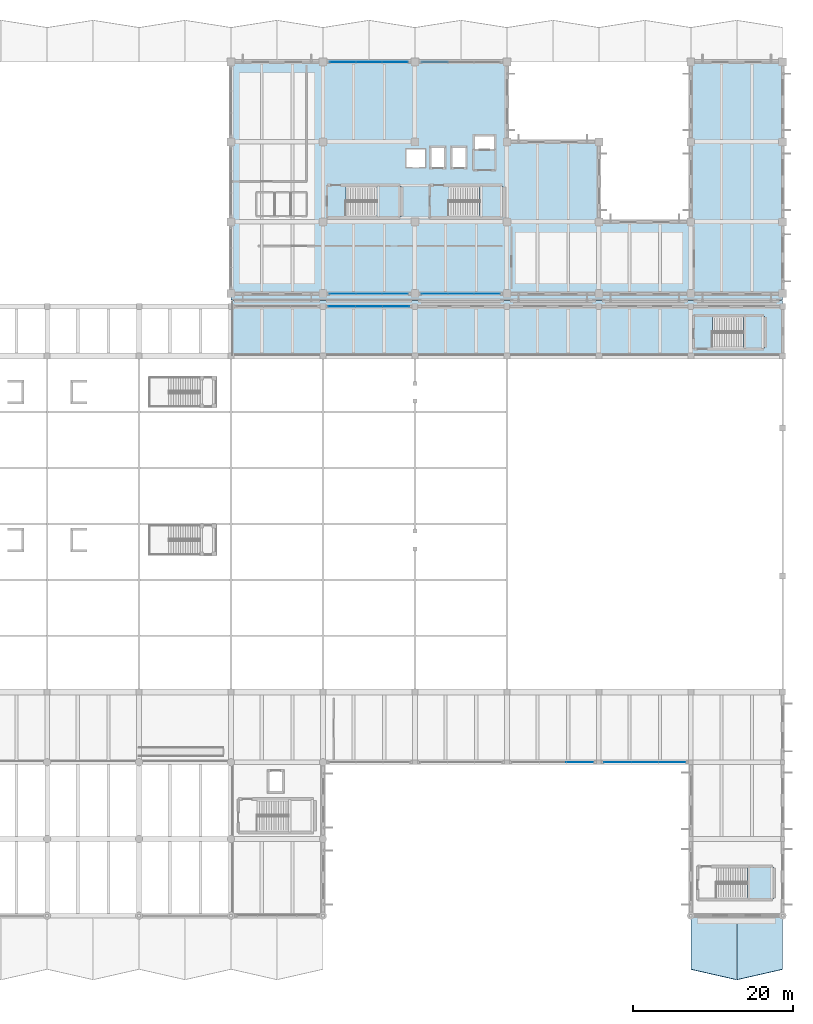
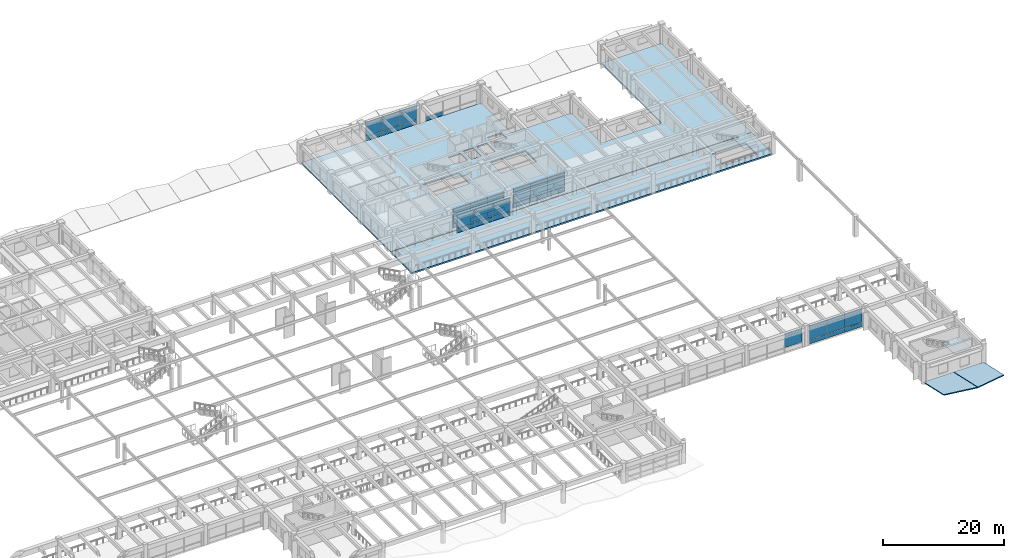
# One storey, part 68 of 98: 48 plates, 8 slabs, 11 elements without a shape of their own.
"""IFC4 building model written with IfcOpenShell, lengths in metres."""

from ifc_helpers import new_model, si_unit, direction, frame, origin, origin_2d, place, context, subcontext, project, spatial, polyline, rectangle, outline, extrude, material, layer, layer_set, type_object, element, aggregate, save


model = new_model("IFC4")

# Units and contexts
model_context = context("Model", 3, precision=1e-05, world=origin(), true_north=direction((0.0, 1.0)))
body_context = subcontext(model_context, "Body", "Model", "MODEL_VIEW")
ifc_project = project(units=[si_unit("LENGTHUNIT", "METRE"), si_unit("AREAUNIT", "SQUARE_METRE"), si_unit("VOLUMEUNIT", "CUBIC_METRE"), si_unit("PLANEANGLEUNIT", "RADIAN"), si_unit("MASSUNIT", "GRAM", prefix="KILO")], contexts=[model_context])

# Site, building, storey
site_placement = place(None, origin())
site = spatial("IfcSite", under=ifc_project, at=site_placement, CompositionType="ELEMENT")
building_placement = place(site_placement, origin())
building = spatial("IfcBuilding", under=site, at=building_placement, Name="Ologun Quay Terminus", CompositionType="ELEMENT")
storey_placement = place(building_placement, frame((0.0, 0.0, 4.199951171875)))
storey = spatial("IfcBuildingStorey", under=building, at=storey_placement, Name="L01", CompositionType="ELEMENT", Elevation=4.199951171875)

# Curtain wall, plates
ifc_material_1 = material(Name="Aluminium 6063-T6", Category="aluminium")
curtain_wall_type_1 = type_object("IfcCurtainWallType", Name="Waterfront Pavilion Harbour Curtain Wall L01 10500x3850", PredefinedType="USERDEFINED", material=ifc_material_1)
curtain_wall_1_placement = place(storey_placement, origin())
curtain_wall_1 = element("IfcCurtainWall", 1, at=curtain_wall_1_placement, inside=storey, type_object=curtain_wall_type_1, Name="CW-23 Curtain Wall CW-L01-126", ObjectType="UNITISED CURTAIN WALL", PredefinedType="USERDEFINED")
ifc_material_2 = material(Name="Glass", Category="glass")
ifc_layer_1 = layer(ifc_material_2, 0.031982421875)
ifc_layer_set_1 = layer_set([ifc_layer_1], Name="Glass")
plate_type_1 = type_object("IfcPlateType", Name="Acoustic Low-E Laminated Glazed Panel 32", PredefinedType="CURTAIN_PANEL", material=ifc_layer_set_1)
plate_1_placement = place(storey_placement, frame((128.99658203125, 114.800048828125, 0.929931640625), z_axis=(0.0, 0.0, 1.0), x_axis=(1.0, 0.0, 0.0)))
plate_1 = element("IfcPlate", 2, at=plate_1_placement, type_object=plate_type_1, Name="CW-L01-126 Panel B1-2", PredefinedType="CURTAIN_PANEL", context=body_context, shape_type="SweptSolid", body=[
    extrude(rectangle(XDim=3.25341796875, YDim=0.031982421875, at=origin_2d()), origin(), (0.0, 0.0, 1.0), 2.27001953125),
])
plate_2_placement = place(storey_placement, frame((128.99658203125, 114.800048828125, 3.26025390625), z_axis=(0.0, 0.0, 1.0), x_axis=(1.0, 0.0, 0.0)))
plate_2 = element("IfcPlate", 3, at=plate_2_placement, type_object=plate_type_1, Name="CW-L01-126 Panel B1-3", PredefinedType="CURTAIN_PANEL", context=body_context, shape_type="SweptSolid", body=[
    extrude(rectangle(XDim=3.25341796875, YDim=0.031982421875, at=origin_2d()), origin(), (0.0, 0.0, 1.0), 0.639892578125),
])
plate_3_placement = place(storey_placement, frame((132.25, 114.800048828125, 0.929931640625), z_axis=(0.0, 0.0, 1.0), x_axis=(1.0, 0.0, 0.0)))
plate_3 = element("IfcPlate", 4, at=plate_3_placement, type_object=plate_type_1, Name="CW-L01-126 Panel B2-2", PredefinedType="CURTAIN_PANEL", context=body_context, shape_type="SweptSolid", body=[
    extrude(rectangle(XDim=3.25341796875, YDim=0.031982421875, at=origin_2d()), origin(), (0.0, 0.0, 1.0), 2.27001953125),
])
plate_4_placement = place(storey_placement, frame((132.25, 114.800048828125, 3.26025390625), z_axis=(0.0, 0.0, 1.0), x_axis=(1.0, 0.0, 0.0)))
plate_4 = element("IfcPlate", 5, at=plate_4_placement, type_object=plate_type_1, Name="CW-L01-126 Panel B2-3", PredefinedType="CURTAIN_PANEL", context=body_context, shape_type="SweptSolid", body=[
    extrude(rectangle(XDim=3.25341796875, YDim=0.031982421875, at=origin_2d()), origin(), (0.0, 0.0, 1.0), 0.639892578125),
])
plate_5_placement = place(storey_placement, frame((135.50341796875, 114.800048828125, 0.929931640625), z_axis=(0.0, 0.0, 1.0), x_axis=(1.0, 0.0, 0.0)))
plate_5 = element("IfcPlate", 6, at=plate_5_placement, type_object=plate_type_1, Name="CW-L01-126 Panel B3-2", PredefinedType="CURTAIN_PANEL", context=body_context, shape_type="SweptSolid", body=[
    extrude(rectangle(XDim=3.25341796875, YDim=0.031982421875, at=origin_2d()), origin(), (0.0, 0.0, 1.0), 2.27001953125),
])
plate_6_placement = place(storey_placement, frame((135.50341796875, 114.800048828125, 3.26025390625), z_axis=(0.0, 0.0, 1.0), x_axis=(1.0, 0.0, 0.0)))
plate_6 = element("IfcPlate", 7, at=plate_6_placement, type_object=plate_type_1, Name="CW-L01-126 Panel B3-3", PredefinedType="CURTAIN_PANEL", context=body_context, shape_type="SweptSolid", body=[
    extrude(rectangle(XDim=3.25341796875, YDim=0.031982421875, at=origin_2d()), origin(), (0.0, 0.0, 1.0), 0.639892578125),
])

# Slabs
ifc_material_3 = material(Name="Concrete C45/55", Category="concrete")
ifc_layer_2 = layer(ifc_material_3, 0.179931640625)
ifc_layer_set_2 = layer_set([ifc_layer_2], Name="Concrete C45/55")
slab_type_1 = type_object("IfcSlabType", Name="Folded Plate Concrete Canopy Slab 180", PredefinedType="ROOF", material=ifc_layer_set_2)
slab_1_placement = place(storey_placement, frame((172.5, 1.300048828125, 1.70751953125), z_axis=(3.569272e-06, 0.219520291869, 0.975607934288), x_axis=(0.97392089365, -0.221354342059, 0.049803093927)))
element("IfcSlab", 8, at=slab_1_placement, inside=storey, type_object=slab_type_1, Name="SL-CNP South Gull-Wing Canopy Bay 16W", PredefinedType="ROOF", context=body_context, shape_type="SweptSolid", body=[
    extrude(outline(polyline([(0.0, 0.0), (5.873136864087274, -6.938893903907228e-17), (4.012654126758083, 7.986161766913908), (-1.5581448520785426, 6.6883699571137765), (0.0, 0.0)])), origin(), (0.0, 0.0, -1.0), 0.179931640625),
])
slab_2_placement = place(storey_placement, frame((178.280029296875, 0.0, 2.0), z_axis=(-3.569272e-06, 0.219520291869, 0.975607934288), x_axis=(0.97392089365, 0.221354342059, -0.049803093927)))
element("IfcSlab", 9, at=slab_2_placement, inside=storey, type_object=slab_type_1, Name="SL-CNP South Gull-Wing Canopy Bay 16E", PredefinedType="ROOF", context=body_context, shape_type="SweptSolid", body=[
    extrude(outline(polyline([(0.0, 0.0), (5.873136864087274, 6.938893903907228e-17), (7.431281716165817, 6.6883699571137765), (1.8604827373291908, 7.986161766913907), (0.0, 0.0)])), origin(), (0.0, 0.0, -1.0), 0.179931640625),
])

# Curtain wall, plates
ifc_material_4 = material(Name="Aluminium 6063-T6", Category="aluminium")
curtain_wall_type_2 = type_object("IfcCurtainWallType", Name="Forecourt Mezzanine Curtain Wall 10700x3850", PredefinedType="USERDEFINED", material=ifc_material_4)
curtain_wall_2_placement = place(storey_placement, origin())
curtain_wall_2 = element("IfcCurtainWall", 10, at=curtain_wall_2_placement, inside=storey, type_object=curtain_wall_type_2, Name="CW-04 Curtain Wall CW-L01-019", ObjectType="UNITISED CURTAIN WALL", PredefinedType="USERDEFINED")
ifc_material_5 = material(Name="Aluminium 6063-T6", Category="aluminium")
ifc_layer_3 = layer(ifc_material_5, 0.050048828125)
ifc_layer_set_3 = layer_set([ifc_layer_3], Name="Aluminium 6063-T6")
plate_type_2 = type_object("IfcPlateType", Name="Insulated Aluminium Shadow-Box Spandrel 50", PredefinedType="CURTAIN_PANEL", material=ifc_layer_set_3)
plate_7_placement = place(storey_placement, frame((163.36328125, 27.199951171875, 0.02978515625), z_axis=(0.0, 0.0, 1.0), x_axis=(1.0, 0.0, 0.0)))
plate_7 = element("IfcPlate", 11, at=plate_7_placement, type_object=plate_type_2, Name="CW-L01-019 Panel B1-1", PredefinedType="CURTAIN_PANEL", context=body_context, shape_type="SweptSolid", body=[
    extrude(rectangle(XDim=3.38671875, YDim=0.050048828125, at=origin_2d()), origin(), (0.0, 0.0, 1.0), 0.840087890625),
])
plate_8_placement = place(storey_placement, frame((166.75, 27.199951171875, 0.02978515625), z_axis=(0.0, 0.0, 1.0), x_axis=(1.0, 0.0, 0.0)))
plate_8 = element("IfcPlate", 12, at=plate_8_placement, type_object=plate_type_2, Name="CW-L01-019 Panel B2-1", PredefinedType="CURTAIN_PANEL", context=body_context, shape_type="SweptSolid", body=[
    extrude(rectangle(XDim=3.38671875, YDim=0.050048828125, at=origin_2d()), origin(), (0.0, 0.0, 1.0), 0.840087890625),
])
plate_9_placement = place(storey_placement, frame((170.13671875, 27.199951171875, 0.02978515625), z_axis=(0.0, 0.0, 1.0), x_axis=(1.0, 0.0, 0.0)))
plate_9 = element("IfcPlate", 13, at=plate_9_placement, type_object=plate_type_2, Name="CW-L01-019 Panel B3-1", PredefinedType="CURTAIN_PANEL", context=body_context, shape_type="SweptSolid", body=[
    extrude(rectangle(XDim=3.38671875, YDim=0.050048828125, at=origin_2d()), origin(), (0.0, 0.0, 1.0), 0.840087890625),
])

curtain_wall_3_placement = place(storey_placement, origin())
curtain_wall_3 = element("IfcCurtainWall", 14, at=curtain_wall_3_placement, inside=storey, type_object=curtain_wall_type_2, Name="CW-04 Curtain Wall CW-L01-091", ObjectType="UNITISED CURTAIN WALL", PredefinedType="USERDEFINED")
plate_10_placement = place(storey_placement, frame((128.896728515625, 84.199951171875, 0.02978515625), z_axis=(0.0, 0.0, 1.0), x_axis=(1.0, 0.0, 0.0)))
plate_10 = element("IfcPlate", 15, at=plate_10_placement, type_object=plate_type_2, Name="CW-L01-091 Panel B1-1", PredefinedType="CURTAIN_PANEL", context=body_context, shape_type="SweptSolid", body=[
    extrude(rectangle(XDim=3.353271484375, YDim=0.050048828125, at=origin_2d()), origin(), (0.0, 0.0, 1.0), 0.840087890625),
])
plate_11_placement = place(storey_placement, frame((132.25, 84.199951171875, 0.02978515625), z_axis=(0.0, 0.0, 1.0), x_axis=(1.0, 0.0, 0.0)))
plate_11 = element("IfcPlate", 16, at=plate_11_placement, type_object=plate_type_2, Name="CW-L01-091 Panel B2-1", PredefinedType="CURTAIN_PANEL", context=body_context, shape_type="SweptSolid", body=[
    extrude(rectangle(XDim=3.353271484375, YDim=0.050048828125, at=origin_2d()), origin(), (0.0, 0.0, 1.0), 0.840087890625),
])
plate_12_placement = place(storey_placement, frame((135.603271484375, 84.199951171875, 0.02978515625), z_axis=(0.0, 0.0, 1.0), x_axis=(1.0, 0.0, 0.0)))
plate_12 = element("IfcPlate", 17, at=plate_12_placement, type_object=plate_type_2, Name="CW-L01-091 Panel B3-1", PredefinedType="CURTAIN_PANEL", context=body_context, shape_type="SweptSolid", body=[
    extrude(rectangle(XDim=3.353271484375, YDim=0.050048828125, at=origin_2d()), origin(), (0.0, 0.0, 1.0), 0.840087890625),
])

curtain_wall_4_placement = place(storey_placement, origin())
curtain_wall_4 = element("IfcCurtainWall", 18, at=curtain_wall_4_placement, inside=storey, type_object=curtain_wall_type_1, Name="CW-23 Curtain Wall CW-L01-124", ObjectType="UNITISED CURTAIN WALL", PredefinedType="USERDEFINED")
plate_13_placement = place(storey_placement, frame((128.99658203125, 85.800048828125, 0.02978515625), z_axis=(0.0, 0.0, 1.0), x_axis=(1.0, 0.0, 0.0)))
plate_13 = element("IfcPlate", 19, at=plate_13_placement, type_object=plate_type_2, Name="CW-L01-124 Panel B1-1", PredefinedType="CURTAIN_PANEL", context=body_context, shape_type="SweptSolid", body=[
    extrude(rectangle(XDim=3.25341796875, YDim=0.050048828125, at=origin_2d()), origin(), (0.0, 0.0, 1.0), 0.840087890625),
])
plate_14_placement = place(storey_placement, frame((132.25, 85.800048828125, 0.02978515625), z_axis=(0.0, 0.0, 1.0), x_axis=(1.0, 0.0, 0.0)))
plate_14 = element("IfcPlate", 20, at=plate_14_placement, type_object=plate_type_2, Name="CW-L01-124 Panel B2-1", PredefinedType="CURTAIN_PANEL", context=body_context, shape_type="SweptSolid", body=[
    extrude(rectangle(XDim=3.25341796875, YDim=0.050048828125, at=origin_2d()), origin(), (0.0, 0.0, 1.0), 0.840087890625),
])
plate_15_placement = place(storey_placement, frame((135.50341796875, 85.800048828125, 0.02978515625), z_axis=(0.0, 0.0, 1.0), x_axis=(1.0, 0.0, 0.0)))
plate_15 = element("IfcPlate", 21, at=plate_15_placement, type_object=plate_type_2, Name="CW-L01-124 Panel B3-1", PredefinedType="CURTAIN_PANEL", context=body_context, shape_type="SweptSolid", body=[
    extrude(rectangle(XDim=3.25341796875, YDim=0.050048828125, at=origin_2d()), origin(), (0.0, 0.0, 1.0), 0.840087890625),
])

curtain_wall_5_placement = place(storey_placement, origin())
curtain_wall_5 = element("IfcCurtainWall", 22, at=curtain_wall_5_placement, inside=storey, type_object=curtain_wall_type_1, Name="CW-23 Curtain Wall CW-L01-125", ObjectType="UNITISED CURTAIN WALL", PredefinedType="USERDEFINED")
plate_16_placement = place(storey_placement, frame((140.49658203125, 85.800048828125, 0.02978515625), z_axis=(0.0, 0.0, 1.0), x_axis=(1.0, 0.0, 0.0)))
plate_16 = element("IfcPlate", 23, at=plate_16_placement, type_object=plate_type_2, Name="CW-L01-125 Panel B1-1", PredefinedType="CURTAIN_PANEL", context=body_context, shape_type="SweptSolid", body=[
    extrude(rectangle(XDim=3.25341796875, YDim=0.050048828125, at=origin_2d()), origin(), (0.0, 0.0, 1.0), 0.840087890625),
])
plate_17_placement = place(storey_placement, frame((143.75, 85.800048828125, 0.02978515625), z_axis=(0.0, 0.0, 1.0), x_axis=(1.0, 0.0, 0.0)))
plate_17 = element("IfcPlate", 24, at=plate_17_placement, type_object=plate_type_2, Name="CW-L01-125 Panel B2-1", PredefinedType="CURTAIN_PANEL", context=body_context, shape_type="SweptSolid", body=[
    extrude(rectangle(XDim=3.25341796875, YDim=0.050048828125, at=origin_2d()), origin(), (0.0, 0.0, 1.0), 0.840087890625),
])
plate_18_placement = place(storey_placement, frame((147.00341796875, 85.800048828125, 0.02978515625), z_axis=(0.0, 0.0, 1.0), x_axis=(1.0, 0.0, 0.0)))
plate_18 = element("IfcPlate", 25, at=plate_18_placement, type_object=plate_type_2, Name="CW-L01-125 Panel B3-1", PredefinedType="CURTAIN_PANEL", context=body_context, shape_type="SweptSolid", body=[
    extrude(rectangle(XDim=3.25341796875, YDim=0.050048828125, at=origin_2d()), origin(), (0.0, 0.0, 1.0), 0.840087890625),
])

# Plate
plate_19_placement = place(storey_placement, frame((128.99658203125, 114.800048828125, 0.02978515625), z_axis=(0.0, 0.0, 1.0), x_axis=(1.0, 0.0, 0.0)))
plate_19 = element("IfcPlate", 26, at=plate_19_placement, type_object=plate_type_2, Name="CW-L01-126 Panel B1-1", PredefinedType="CURTAIN_PANEL", context=body_context, shape_type="SweptSolid", body=[
    extrude(rectangle(XDim=3.25341796875, YDim=0.050048828125, at=origin_2d()), origin(), (0.0, 0.0, 1.0), 0.840087890625),
])

plate_20_placement = place(storey_placement, frame((132.25, 114.800048828125, 0.02978515625), z_axis=(0.0, 0.0, 1.0), x_axis=(1.0, 0.0, 0.0)))
plate_20 = element("IfcPlate", 27, at=plate_20_placement, type_object=plate_type_2, Name="CW-L01-126 Panel B2-1", PredefinedType="CURTAIN_PANEL", context=body_context, shape_type="SweptSolid", body=[
    extrude(rectangle(XDim=3.25341796875, YDim=0.050048828125, at=origin_2d()), origin(), (0.0, 0.0, 1.0), 0.840087890625),
])

plate_21_placement = place(storey_placement, frame((135.50341796875, 114.800048828125, 0.02978515625), z_axis=(0.0, 0.0, 1.0), x_axis=(1.0, 0.0, 0.0)))
plate_21 = element("IfcPlate", 28, at=plate_21_placement, type_object=plate_type_2, Name="CW-L01-126 Panel B3-1", PredefinedType="CURTAIN_PANEL", context=body_context, shape_type="SweptSolid", body=[
    extrude(rectangle(XDim=3.25341796875, YDim=0.050048828125, at=origin_2d()), origin(), (0.0, 0.0, 1.0), 0.840087890625),
])

aggregate(curtain_wall_1, [plate_19, plate_1, plate_2, plate_20, plate_3, plate_4, plate_21, plate_5, plate_6])

# Curtain wall, plate
curtain_wall_6_placement = place(storey_placement, origin())
curtain_wall_6 = element("IfcCurtainWall", 29, at=curtain_wall_6_placement, inside=storey, type_object=curtain_wall_type_1, Name="CW-23 Curtain Wall CW-L01-127", ObjectType="UNITISED CURTAIN WALL", PredefinedType="USERDEFINED")
plate_22_placement = place(storey_placement, frame((140.49658203125, 114.800048828125, 0.02978515625), z_axis=(0.0, 0.0, 1.0), x_axis=(1.0, 0.0, 0.0)))
plate_22 = element("IfcPlate", 30, at=plate_22_placement, type_object=plate_type_2, Name="CW-L01-127 Panel B1-1", PredefinedType="CURTAIN_PANEL", context=body_context, shape_type="SweptSolid", body=[
    extrude(rectangle(XDim=3.25341796875, YDim=0.050048828125, at=origin_2d()), origin(), (0.0, 0.0, 1.0), 0.840087890625),
])
aggregate(curtain_wall_6, [plate_22])

# Slabs
ifc_material_6 = material(Name="Concrete C40/50", Category="concrete")
ifc_layer_4 = layer(ifc_material_6, 0.25)
ifc_layer_set_4 = layer_set([ifc_layer_4], Name="Concrete C40/50")
slab_type_2 = type_object("IfcSlabType", Name="North Wing Floor Slab 250", PredefinedType="FLOOR", material=ifc_layer_set_4)
slab_3_placement = place(storey_placement, frame((0.0, 0.0, -0.25)))
element("IfcSlab", 31, at=slab_3_placement, inside=storey, type_object=slab_type_2, Name="SL-TWR North Wing Floor Slab L01 EWNG", PredefinedType="FLOOR", context=body_context, shape_type="SweptSolid", body=[
    extrude(outline(polyline([(115.0, 85.03759765625), (184.0, 85.03759765625), (184.0, 114.800048828125), (172.5, 114.800048828125), (172.5, 94.800048828125), (161.0, 94.800048828125), (161.0, 104.800048828125), (149.5, 104.800048828125), (149.5, 114.800048828125), (115.0, 114.800048828125), (115.0, 85.03759765625)]), holes=[polyline([(145.35009765625, 103.780029296875), (145.35009765625, 105.6201171875), (148.050048828125, 105.6201171875), (148.050048828125, 103.780029296875), (145.35009765625, 103.780029296875)]), polyline([(139.89990234375, 101.5), (139.89990234375, 104.199951171875), (141.800048828125, 104.199951171875), (141.800048828125, 101.5), (139.89990234375, 101.5)]), polyline([(142.550048828125, 101.5), (142.550048828125, 104.199951171875), (144.449951171875, 104.199951171875), (144.449951171875, 101.5), (142.550048828125, 101.5)]), polyline([(129.3798828125, 95.550048828125), (129.3798828125, 99.14990234375), (136.14990234375, 99.14990234375), (136.14990234375, 95.550048828125), (129.3798828125, 95.550048828125)]), polyline([(142.22998046875, 95.550048828125), (142.22998046875, 99.14990234375), (148.949951171875, 99.14990234375), (148.949951171875, 95.550048828125), (142.22998046875, 95.550048828125)]), polyline([(136.89990234375, 101.60009765625), (136.89990234375, 103.89990234375), (139.300048828125, 103.89990234375), (139.300048828125, 101.60009765625), (136.89990234375, 101.60009765625)])]), origin(), (0.0, 0.0, 1.0), 0.25),
])
ifc_material_7 = material(Name="Concrete C40/50", Category="concrete")
ifc_layer_5 = layer(ifc_material_7, 0.300048828125)
ifc_layer_set_5 = layer_set([ifc_layer_5], Name="Concrete C40/50")
slab_type_3 = type_object("IfcSlabType", Name="Passenger Platform Deck Slab 300", PredefinedType="FLOOR", material=ifc_layer_set_5)
slab_4_placement = place(storey_placement, frame((0.0, 0.0, -0.300048828125)))
element("IfcSlab", 32, at=slab_4_placement, inside=storey, type_object=slab_type_3, Name="SL-PLT North Mezzanine Gallery Slab E", PredefinedType="FLOOR", context=body_context, shape_type="SweptSolid", body=[
    extrude(outline(polyline([(115.0, 78.0), (184.0, 78.0), (184.0, 84.96240234375), (115.0, 84.96240234375), (115.0, 78.0)]), holes=[polyline([(175.22998046875, 79.10009765625), (175.22998046875, 82.89990234375), (181.64990234375, 82.89990234375), (181.64990234375, 79.10009765625), (175.22998046875, 79.10009765625)])]), origin(), (0.0, 0.0, 1.0), 0.300048828125),
])

# Stair, slab
ifc_material_8 = material(Name="Concrete C40/50", Category="concrete")
stair_type_1 = type_object("IfcStairType", Name="Courtyard Wing Core Escape Stair 1700", PredefinedType="HALF_TURN_STAIR", material=ifc_material_8)
stair_1_placement = place(storey_placement, origin())
stair_1 = element("IfcStair", 33, at=stair_1_placement, inside=storey, type_object=stair_type_1, Name="ST-E1 Stair L01", PredefinedType="HALF_TURN_STAIR")
ifc_material_9 = material(Name="Precast Concrete C40/50", Category="concrete")
ifc_layer_6 = layer(ifc_material_9, 0.179931640625)
ifc_layer_set_6 = layer_set([ifc_layer_6], Name="Precast Concrete C40/50")
slab_type_4 = type_object("IfcSlabType", Name="Precast Stair Half-Landing Slab 180", PredefinedType="LANDING", material=ifc_layer_set_6)
slab_5_placement = place(storey_placement, frame((0.0, 0.0, 1.920166015625)))
slab_5 = element("IfcSlab", 34, at=slab_5_placement, type_object=slab_type_4, Name="ST-E1 Half-Landing L01", PredefinedType="LANDING", context=body_context, shape_type="SweptSolid", body=[
    extrude(outline(polyline([(133.219970703125, 95.469970703125), (136.22998046875, 95.469970703125), (136.22998046875, 99.22998046875), (133.219970703125, 99.22998046875), (133.219970703125, 95.469970703125)])), origin(), (0.0, 0.0, 1.0), 0.179931640625),
])
aggregate(stair_1, [slab_5])

stair_2_placement = place(storey_placement, origin())
stair_2 = element("IfcStair", 35, at=stair_2_placement, inside=storey, type_object=stair_type_1, Name="ST-E2 Stair L01", PredefinedType="HALF_TURN_STAIR")
slab_6_placement = place(storey_placement, frame((0.0, 0.0, 1.920166015625)))
slab_6 = element("IfcSlab", 36, at=slab_6_placement, type_object=slab_type_4, Name="ST-E2 Half-Landing L01", PredefinedType="LANDING", context=body_context, shape_type="SweptSolid", body=[
    extrude(outline(polyline([(146.070068359375, 95.469970703125), (149.030029296875, 95.469970703125), (149.030029296875, 99.22998046875), (146.070068359375, 99.22998046875), (146.070068359375, 95.469970703125)])), origin(), (0.0, 0.0, 1.0), 0.179931640625),
])
aggregate(stair_2, [slab_6])

ifc_material_10 = material(Name="Concrete C40/50", Category="concrete")
stair_type_2 = type_object("IfcStairType", Name="Station Concourse Escape Stair 1800", PredefinedType="HALF_TURN_STAIR", material=ifc_material_10)
stair_3_placement = place(storey_placement, origin())
stair_3 = element("IfcStair", 37, at=stair_3_placement, inside=storey, type_object=stair_type_2, Name="ST-S2 Stair L01", PredefinedType="HALF_TURN_STAIR")
slab_7_placement = place(storey_placement, frame((0.0, 0.0, 1.920166015625)))
slab_7 = element("IfcSlab", 38, at=slab_7_placement, type_object=slab_type_4, Name="ST-S2 Half-Landing L01", PredefinedType="LANDING", context=body_context, shape_type="SweptSolid", body=[
    extrude(outline(polyline([(179.570068359375, 10.1201171875), (182.830078125, 10.1201171875), (182.830078125, 14.080078125), (179.570068359375, 14.080078125), (179.570068359375, 10.1201171875)])), origin(), (0.0, 0.0, 1.0), 0.179931640625),
])
aggregate(stair_3, [slab_7])

stair_4_placement = place(storey_placement, origin())
stair_4 = element("IfcStair", 39, at=stair_4_placement, inside=storey, type_object=stair_type_2, Name="ST-NG2 Stair L01", PredefinedType="HALF_TURN_STAIR")
slab_8_placement = place(storey_placement, frame((0.0, 0.0, 1.920166015625)))
slab_8 = element("IfcSlab", 40, at=slab_8_placement, type_object=slab_type_4, Name="ST-NG2 Half-Landing L01", PredefinedType="LANDING", context=body_context, shape_type="SweptSolid", body=[
    extrude(outline(polyline([(179.070068359375, 79.02001953125), (181.72998046875, 79.02001953125), (181.72998046875, 82.97998046875), (179.070068359375, 82.97998046875), (179.070068359375, 79.02001953125)])), origin(), (0.0, 0.0, 1.0), 0.179931640625),
])
aggregate(stair_4, [slab_8])

# Curtain wall, plates
curtain_wall_7_placement = place(storey_placement, origin())
curtain_wall_7 = element("IfcCurtainWall", 41, at=curtain_wall_7_placement, inside=storey, type_object=curtain_wall_type_2, Name="CW-04 Curtain Wall CW-L01-018", ObjectType="UNITISED CURTAIN WALL", PredefinedType="USERDEFINED")
ifc_material_11 = material(Name="Glass", Category="glass")
ifc_layer_7 = layer(ifc_material_11, 0.028076171875)
ifc_layer_set_7 = layer_set([ifc_layer_7], Name="Glass")
plate_type_3 = type_object("IfcPlateType", Name="Solar-Control Double Glazed Panel 28", PredefinedType="CURTAIN_PANEL", material=ifc_layer_set_7)
plate_23_placement = place(storey_placement, frame((158.63671875, 27.199951171875, 0.93017578125), z_axis=(0.0, 0.0, 1.0), x_axis=(1.0, 0.0, 0.0)))
plate_23 = element("IfcPlate", 42, at=plate_23_placement, type_object=plate_type_3, Name="CW-L01-018 Panel B3-2", PredefinedType="CURTAIN_PANEL", context=body_context, shape_type="SweptSolid", body=[
    extrude(rectangle(XDim=3.38671875, YDim=0.028076171875, at=origin_2d()), origin(), (0.0, 0.0, 1.0), 2.179931640625),
])
plate_24_placement = place(storey_placement, frame((158.63671875, 27.199951171875, 3.169921875), z_axis=(0.0, 0.0, 1.0), x_axis=(1.0, 0.0, 0.0)))
plate_24 = element("IfcPlate", 43, at=plate_24_placement, type_object=plate_type_3, Name="CW-L01-018 Panel B3-3", PredefinedType="CURTAIN_PANEL", context=body_context, shape_type="SweptSolid", body=[
    extrude(rectangle(XDim=3.38671875, YDim=0.028076171875, at=origin_2d()), origin(), (0.0, 0.0, 1.0), 0.639892578125),
])
aggregate(curtain_wall_7, [plate_23, plate_24])

# Plate
plate_25_placement = place(storey_placement, frame((163.36328125, 27.199951171875, 0.93017578125), z_axis=(0.0, 0.0, 1.0), x_axis=(1.0, 0.0, 0.0)))
plate_25 = element("IfcPlate", 44, at=plate_25_placement, type_object=plate_type_3, Name="CW-L01-019 Panel B1-2", PredefinedType="CURTAIN_PANEL", context=body_context, shape_type="SweptSolid", body=[
    extrude(rectangle(XDim=3.38671875, YDim=0.028076171875, at=origin_2d()), origin(), (0.0, 0.0, 1.0), 2.179931640625),
])

plate_26_placement = place(storey_placement, frame((163.36328125, 27.199951171875, 3.169921875), z_axis=(0.0, 0.0, 1.0), x_axis=(1.0, 0.0, 0.0)))
plate_26 = element("IfcPlate", 45, at=plate_26_placement, type_object=plate_type_3, Name="CW-L01-019 Panel B1-3", PredefinedType="CURTAIN_PANEL", context=body_context, shape_type="SweptSolid", body=[
    extrude(rectangle(XDim=3.38671875, YDim=0.028076171875, at=origin_2d()), origin(), (0.0, 0.0, 1.0), 0.639892578125),
])

plate_27_placement = place(storey_placement, frame((166.75, 27.199951171875, 0.93017578125), z_axis=(0.0, 0.0, 1.0), x_axis=(1.0, 0.0, 0.0)))
plate_27 = element("IfcPlate", 46, at=plate_27_placement, type_object=plate_type_3, Name="CW-L01-019 Panel B2-2", PredefinedType="CURTAIN_PANEL", context=body_context, shape_type="SweptSolid", body=[
    extrude(rectangle(XDim=3.38671875, YDim=0.028076171875, at=origin_2d()), origin(), (0.0, 0.0, 1.0), 2.179931640625),
])

plate_28_placement = place(storey_placement, frame((166.75, 27.199951171875, 3.169921875), z_axis=(0.0, 0.0, 1.0), x_axis=(1.0, 0.0, 0.0)))
plate_28 = element("IfcPlate", 47, at=plate_28_placement, type_object=plate_type_3, Name="CW-L01-019 Panel B2-3", PredefinedType="CURTAIN_PANEL", context=body_context, shape_type="SweptSolid", body=[
    extrude(rectangle(XDim=3.38671875, YDim=0.028076171875, at=origin_2d()), origin(), (0.0, 0.0, 1.0), 0.639892578125),
])

plate_29_placement = place(storey_placement, frame((170.13671875, 27.199951171875, 0.93017578125), z_axis=(0.0, 0.0, 1.0), x_axis=(1.0, 0.0, 0.0)))
plate_29 = element("IfcPlate", 48, at=plate_29_placement, type_object=plate_type_3, Name="CW-L01-019 Panel B3-2", PredefinedType="CURTAIN_PANEL", context=body_context, shape_type="SweptSolid", body=[
    extrude(rectangle(XDim=3.38671875, YDim=0.028076171875, at=origin_2d()), origin(), (0.0, 0.0, 1.0), 2.179931640625),
])

plate_30_placement = place(storey_placement, frame((170.13671875, 27.199951171875, 3.169921875), z_axis=(0.0, 0.0, 1.0), x_axis=(1.0, 0.0, 0.0)))
plate_30 = element("IfcPlate", 49, at=plate_30_placement, type_object=plate_type_3, Name="CW-L01-019 Panel B3-3", PredefinedType="CURTAIN_PANEL", context=body_context, shape_type="SweptSolid", body=[
    extrude(rectangle(XDim=3.38671875, YDim=0.028076171875, at=origin_2d()), origin(), (0.0, 0.0, 1.0), 0.639892578125),
])

aggregate(curtain_wall_2, [plate_7, plate_25, plate_26, plate_8, plate_27, plate_28, plate_9, plate_29, plate_30])

plate_31_placement = place(storey_placement, frame((128.896728515625, 84.199951171875, 0.93017578125), z_axis=(0.0, 0.0, 1.0), x_axis=(1.0, 0.0, 0.0)))
plate_31 = element("IfcPlate", 50, at=plate_31_placement, type_object=plate_type_3, Name="CW-L01-091 Panel B1-2", PredefinedType="CURTAIN_PANEL", context=body_context, shape_type="SweptSolid", body=[
    extrude(rectangle(XDim=3.353271484375, YDim=0.028076171875, at=origin_2d()), origin(), (0.0, 0.0, 1.0), 1.989990234375),
])

plate_32_placement = place(storey_placement, frame((128.896728515625, 84.199951171875, 2.97998046875), z_axis=(0.0, 0.0, 1.0), x_axis=(1.0, 0.0, 0.0)))
plate_32 = element("IfcPlate", 51, at=plate_32_placement, type_object=plate_type_3, Name="CW-L01-091 Panel B1-3", PredefinedType="CURTAIN_PANEL", context=body_context, shape_type="SweptSolid", body=[
    extrude(rectangle(XDim=3.353271484375, YDim=0.028076171875, at=origin_2d()), origin(), (0.0, 0.0, 1.0), 0.639892578125),
])

plate_33_placement = place(storey_placement, frame((132.25, 84.199951171875, 0.93017578125), z_axis=(0.0, 0.0, 1.0), x_axis=(1.0, 0.0, 0.0)))
plate_33 = element("IfcPlate", 52, at=plate_33_placement, type_object=plate_type_3, Name="CW-L01-091 Panel B2-2", PredefinedType="CURTAIN_PANEL", context=body_context, shape_type="SweptSolid", body=[
    extrude(rectangle(XDim=3.353271484375, YDim=0.028076171875, at=origin_2d()), origin(), (0.0, 0.0, 1.0), 1.989990234375),
])

plate_34_placement = place(storey_placement, frame((132.25, 84.199951171875, 2.97998046875), z_axis=(0.0, 0.0, 1.0), x_axis=(1.0, 0.0, 0.0)))
plate_34 = element("IfcPlate", 53, at=plate_34_placement, type_object=plate_type_3, Name="CW-L01-091 Panel B2-3", PredefinedType="CURTAIN_PANEL", context=body_context, shape_type="SweptSolid", body=[
    extrude(rectangle(XDim=3.353271484375, YDim=0.028076171875, at=origin_2d()), origin(), (0.0, 0.0, 1.0), 0.639892578125),
])

plate_35_placement = place(storey_placement, frame((135.603271484375, 84.199951171875, 0.93017578125), z_axis=(0.0, 0.0, 1.0), x_axis=(1.0, 0.0, 0.0)))
plate_35 = element("IfcPlate", 54, at=plate_35_placement, type_object=plate_type_3, Name="CW-L01-091 Panel B3-2", PredefinedType="CURTAIN_PANEL", context=body_context, shape_type="SweptSolid", body=[
    extrude(rectangle(XDim=3.353271484375, YDim=0.028076171875, at=origin_2d()), origin(), (0.0, 0.0, 1.0), 1.989990234375),
])

plate_36_placement = place(storey_placement, frame((135.603271484375, 84.199951171875, 2.97998046875), z_axis=(0.0, 0.0, 1.0), x_axis=(1.0, 0.0, 0.0)))
plate_36 = element("IfcPlate", 55, at=plate_36_placement, type_object=plate_type_3, Name="CW-L01-091 Panel B3-3", PredefinedType="CURTAIN_PANEL", context=body_context, shape_type="SweptSolid", body=[
    extrude(rectangle(XDim=3.353271484375, YDim=0.028076171875, at=origin_2d()), origin(), (0.0, 0.0, 1.0), 0.639892578125),
])

aggregate(curtain_wall_3, [plate_10, plate_31, plate_32, plate_11, plate_33, plate_34, plate_12, plate_35, plate_36])

plate_37_placement = place(storey_placement, frame((128.99658203125, 85.800048828125, 0.929931640625), z_axis=(0.0, 0.0, 1.0), x_axis=(1.0, 0.0, 0.0)))
plate_37 = element("IfcPlate", 56, at=plate_37_placement, type_object=plate_type_3, Name="CW-L01-124 Panel B1-2", PredefinedType="CURTAIN_PANEL", context=body_context, shape_type="SweptSolid", body=[
    extrude(rectangle(XDim=3.25341796875, YDim=0.028076171875, at=origin_2d()), origin(), (0.0, 0.0, 1.0), 2.27001953125),
])

plate_38_placement = place(storey_placement, frame((128.99658203125, 85.800048828125, 3.26025390625), z_axis=(0.0, 0.0, 1.0), x_axis=(1.0, 0.0, 0.0)))
plate_38 = element("IfcPlate", 57, at=plate_38_placement, type_object=plate_type_3, Name="CW-L01-124 Panel B1-3", PredefinedType="CURTAIN_PANEL", context=body_context, shape_type="SweptSolid", body=[
    extrude(rectangle(XDim=3.25341796875, YDim=0.028076171875, at=origin_2d()), origin(), (0.0, 0.0, 1.0), 0.639892578125),
])

plate_39_placement = place(storey_placement, frame((132.25, 85.800048828125, 0.929931640625), z_axis=(0.0, 0.0, 1.0), x_axis=(1.0, 0.0, 0.0)))
plate_39 = element("IfcPlate", 58, at=plate_39_placement, type_object=plate_type_3, Name="CW-L01-124 Panel B2-2", PredefinedType="CURTAIN_PANEL", context=body_context, shape_type="SweptSolid", body=[
    extrude(rectangle(XDim=3.25341796875, YDim=0.028076171875, at=origin_2d()), origin(), (0.0, 0.0, 1.0), 2.27001953125),
])

plate_40_placement = place(storey_placement, frame((132.25, 85.800048828125, 3.26025390625), z_axis=(0.0, 0.0, 1.0), x_axis=(1.0, 0.0, 0.0)))
plate_40 = element("IfcPlate", 59, at=plate_40_placement, type_object=plate_type_3, Name="CW-L01-124 Panel B2-3", PredefinedType="CURTAIN_PANEL", context=body_context, shape_type="SweptSolid", body=[
    extrude(rectangle(XDim=3.25341796875, YDim=0.028076171875, at=origin_2d()), origin(), (0.0, 0.0, 1.0), 0.639892578125),
])

plate_41_placement = place(storey_placement, frame((135.50341796875, 85.800048828125, 0.929931640625), z_axis=(0.0, 0.0, 1.0), x_axis=(1.0, 0.0, 0.0)))
plate_41 = element("IfcPlate", 60, at=plate_41_placement, type_object=plate_type_3, Name="CW-L01-124 Panel B3-2", PredefinedType="CURTAIN_PANEL", context=body_context, shape_type="SweptSolid", body=[
    extrude(rectangle(XDim=3.25341796875, YDim=0.028076171875, at=origin_2d()), origin(), (0.0, 0.0, 1.0), 2.27001953125),
])

plate_42_placement = place(storey_placement, frame((135.50341796875, 85.800048828125, 3.26025390625), z_axis=(0.0, 0.0, 1.0), x_axis=(1.0, 0.0, 0.0)))
plate_42 = element("IfcPlate", 61, at=plate_42_placement, type_object=plate_type_3, Name="CW-L01-124 Panel B3-3", PredefinedType="CURTAIN_PANEL", context=body_context, shape_type="SweptSolid", body=[
    extrude(rectangle(XDim=3.25341796875, YDim=0.028076171875, at=origin_2d()), origin(), (0.0, 0.0, 1.0), 0.639892578125),
])

aggregate(curtain_wall_4, [plate_13, plate_37, plate_38, plate_14, plate_39, plate_40, plate_15, plate_41, plate_42])

plate_43_placement = place(storey_placement, frame((140.49658203125, 85.800048828125, 0.929931640625), z_axis=(0.0, 0.0, 1.0), x_axis=(1.0, 0.0, 0.0)))
plate_43 = element("IfcPlate", 62, at=plate_43_placement, type_object=plate_type_3, Name="CW-L01-125 Panel B1-2", PredefinedType="CURTAIN_PANEL", context=body_context, shape_type="SweptSolid", body=[
    extrude(rectangle(XDim=3.25341796875, YDim=0.028076171875, at=origin_2d()), origin(), (0.0, 0.0, 1.0), 2.27001953125),
])

plate_44_placement = place(storey_placement, frame((140.49658203125, 85.800048828125, 3.26025390625), z_axis=(0.0, 0.0, 1.0), x_axis=(1.0, 0.0, 0.0)))
plate_44 = element("IfcPlate", 63, at=plate_44_placement, type_object=plate_type_3, Name="CW-L01-125 Panel B1-3", PredefinedType="CURTAIN_PANEL", context=body_context, shape_type="SweptSolid", body=[
    extrude(rectangle(XDim=3.25341796875, YDim=0.028076171875, at=origin_2d()), origin(), (0.0, 0.0, 1.0), 0.639892578125),
])

plate_45_placement = place(storey_placement, frame((143.75, 85.800048828125, 0.929931640625), z_axis=(0.0, 0.0, 1.0), x_axis=(1.0, 0.0, 0.0)))
plate_45 = element("IfcPlate", 64, at=plate_45_placement, type_object=plate_type_3, Name="CW-L01-125 Panel B2-2", PredefinedType="CURTAIN_PANEL", context=body_context, shape_type="SweptSolid", body=[
    extrude(rectangle(XDim=3.25341796875, YDim=0.028076171875, at=origin_2d()), origin(), (0.0, 0.0, 1.0), 2.27001953125),
])

plate_46_placement = place(storey_placement, frame((143.75, 85.800048828125, 3.26025390625), z_axis=(0.0, 0.0, 1.0), x_axis=(1.0, 0.0, 0.0)))
plate_46 = element("IfcPlate", 65, at=plate_46_placement, type_object=plate_type_3, Name="CW-L01-125 Panel B2-3", PredefinedType="CURTAIN_PANEL", context=body_context, shape_type="SweptSolid", body=[
    extrude(rectangle(XDim=3.25341796875, YDim=0.028076171875, at=origin_2d()), origin(), (0.0, 0.0, 1.0), 0.639892578125),
])

plate_47_placement = place(storey_placement, frame((147.00341796875, 85.800048828125, 0.929931640625), z_axis=(0.0, 0.0, 1.0), x_axis=(1.0, 0.0, 0.0)))
plate_47 = element("IfcPlate", 66, at=plate_47_placement, type_object=plate_type_3, Name="CW-L01-125 Panel B3-2", PredefinedType="CURTAIN_PANEL", context=body_context, shape_type="SweptSolid", body=[
    extrude(rectangle(XDim=3.25341796875, YDim=0.028076171875, at=origin_2d()), origin(), (0.0, 0.0, 1.0), 2.27001953125),
])

plate_48_placement = place(storey_placement, frame((147.00341796875, 85.800048828125, 3.26025390625), z_axis=(0.0, 0.0, 1.0), x_axis=(1.0, 0.0, 0.0)))
plate_48 = element("IfcPlate", 67, at=plate_48_placement, type_object=plate_type_3, Name="CW-L01-125 Panel B3-3", PredefinedType="CURTAIN_PANEL", context=body_context, shape_type="SweptSolid", body=[
    extrude(rectangle(XDim=3.25341796875, YDim=0.028076171875, at=origin_2d()), origin(), (0.0, 0.0, 1.0), 0.639892578125),
])

aggregate(curtain_wall_5, [plate_16, plate_43, plate_44, plate_17, plate_45, plate_46, plate_18, plate_47, plate_48])

save(model, "model.ifc")
